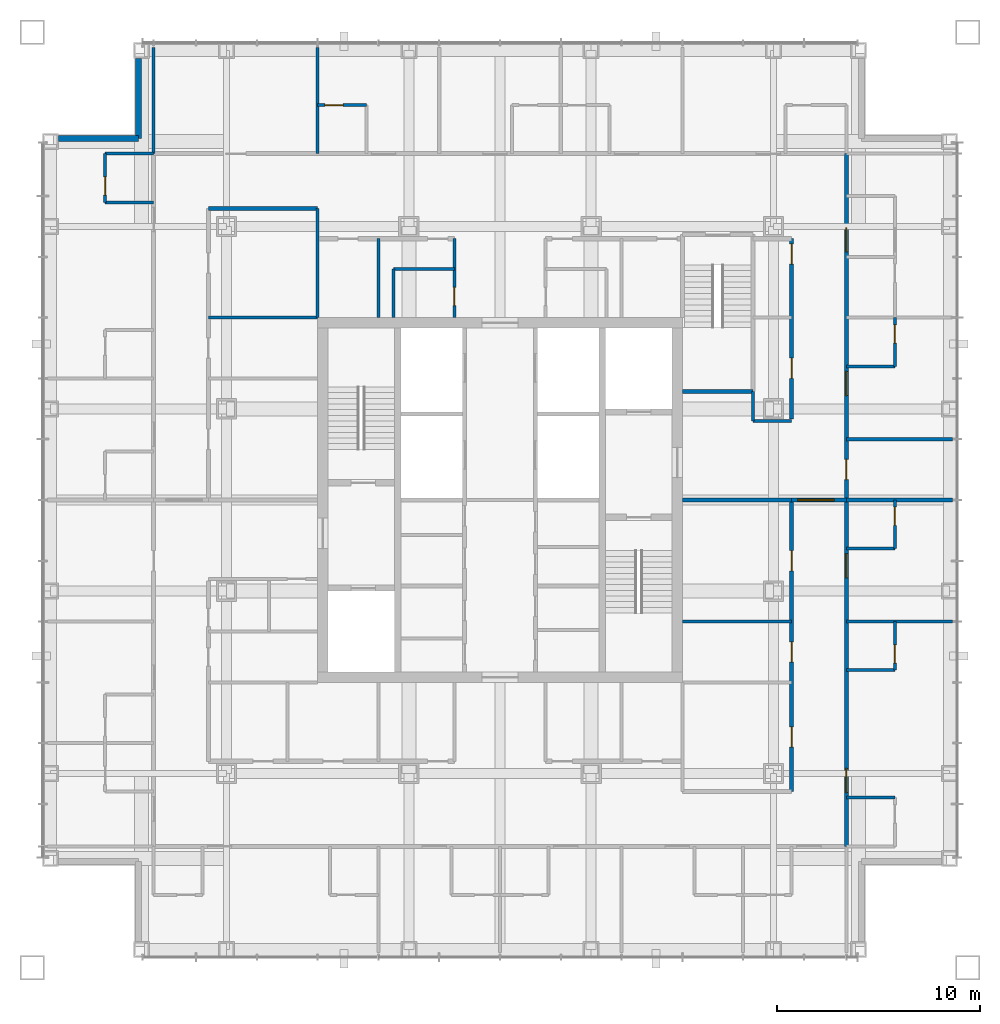
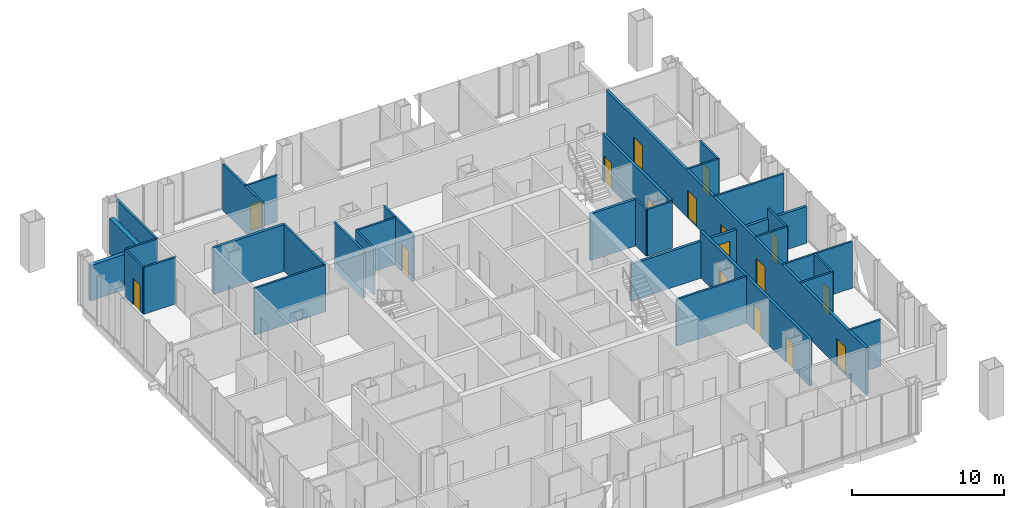
# One storey, part 15 of 20: 34 walls, 17 doors, 17 openings.
"""IFC4 building model written with IfcOpenShell, lengths in metres."""

from ifc_helpers import new_model, si_unit, direction, frame, frame_2d, origin, place, context, subcontext, project, spatial, rectangle, extrude, material, layer, layer_set, type_object, element, fill, save


model = new_model("IFC4")

# Units and contexts
model_context = context("Model", 3, precision=1e-05, world=origin(), true_north=direction((0.0, 1.0)))
body_context = subcontext(model_context, "Body", "Model", "MODEL_VIEW")
ifc_project = project(units=[si_unit("LENGTHUNIT", "METRE"), si_unit("AREAUNIT", "SQUARE_METRE"), si_unit("VOLUMEUNIT", "CUBIC_METRE"), si_unit("PLANEANGLEUNIT", "RADIAN"), si_unit("MASSUNIT", "GRAM", prefix="KILO")], contexts=[model_context])

# Site, building, storey
site_placement = place(None, origin())
site = spatial("IfcSite", under=ifc_project, at=site_placement, CompositionType="ELEMENT")
building_placement = place(site_placement, origin())
building = spatial("IfcBuilding", under=site, at=building_placement, Name="Malebo Sky Hospital", CompositionType="ELEMENT")
storey_placement = place(building_placement, frame((0.0, 0.0, 233.0)))
storey = spatial("IfcBuildingStorey", under=building, at=storey_placement, Name="L56", CompositionType="ELEMENT", Elevation=233.0)

# Wall
ifc_material_1 = material(Name="Gypsum board on steel studs", Category="steel")
ifc_layer_1 = layer(ifc_material_1, 0.199951171875)
ifc_layer_set_1 = layer_set([ifc_layer_1], Name="CORRIDOR WALL 200")
wall_type_1 = type_object("IfcWallType", Name="CORRIDOR WALL 200", PredefinedType="PARTITIONING", material=ifc_layer_set_1)
wall_1_placement = place(storey_placement, frame((45.60009765625, 76.39990234375, 0.0), z_axis=(0.0, 0.0, 1.0), x_axis=(1.0, 0.0, 0.0)))
element("IfcWall", 1, at=wall_1_placement, inside=storey, type_object=wall_type_1, Name="Corridor Wall 200 NCIK", PredefinedType="PARTITIONING", context=body_context, shape_type="SweptSolid", body=[
    extrude(rectangle(XDim=5.39990234375, YDim=0.199951171875, at=frame_2d((2.699951171875, 0.0))), origin(), (0.0, 0.0, 1.0), 3.75),
])

# Wall, openings, doors
wall_2_placement = place(storey_placement, frame((77.10009765625, 79.10009765625, 0.0), z_axis=(0.0, 0.0, 1.0), x_axis=(0.0, -1.0, 0.0)))
wall_2 = element("IfcWall", 2, at=wall_2_placement, inside=storey, type_object=wall_type_1, Name="Corridor Wall 200 ECO", PredefinedType="PARTITIONING", context=body_context, shape_type="SweptSolid", body=[
    extrude(rectangle(XDim=34.2001953125, YDim=0.199951171875, at=frame_2d((17.10009765625, 0.0))), origin(), (0.0, 0.0, 1.0), 3.75),
])
opening_1_placement = place(wall_2_placement, frame((3.64990234375, 0.0, 0.0)))
opening_1 = element("IfcOpeningElement", 3, at=opening_1_placement, cuts=wall_2, Name="Opening D18", PredefinedType="OPENING", context=body_context, shape_type="SweptSolid", body=[
    extrude(rectangle(XDim=1.199951171875, YDim=2.199951171875, at=frame_2d((0.60009765625, 1.10009765625))), frame((0.0, 0.10986328125, 0.0), z_axis=(0.0, -1.0, 0.0), x_axis=(1.0, 0.0, 0.0)), (0.0, 0.0, 1.0), 0.219970703125),
])
opening_2_placement = place(wall_2_placement, frame((10.75, 0.0, 0.0)))
opening_2 = element("IfcOpeningElement", 4, at=opening_2_placement, cuts=wall_2, Name="Opening D01", PredefinedType="OPENING", context=body_context, shape_type="SweptSolid", body=[
    extrude(rectangle(XDim=1.199951171875, YDim=2.199951171875, at=frame_2d((0.60009765625, 1.10009765625))), frame((0.0, 0.10986328125, 0.0), z_axis=(0.0, -1.0, 0.0), x_axis=(1.0, 0.0, 0.0)), (0.0, 0.0, 1.0), 0.219970703125),
])
opening_3_placement = place(wall_2_placement, frame((15.10009765625, 0.0, 0.0)))
opening_3 = element("IfcOpeningElement", 5, at=opening_3_placement, cuts=wall_2, Name="Opening D03", PredefinedType="OPENING", context=body_context, shape_type="SweptSolid", body=[
    extrude(rectangle(XDim=1.0, YDim=2.10009765625, at=frame_2d((0.5, 1.050048828125))), frame((0.0, 0.10986328125, 0.0), z_axis=(0.0, -1.0, 0.0), x_axis=(1.0, 0.0, 0.0)), (0.0, 0.0, 1.0), 0.219970703125),
])
opening_4_placement = place(wall_2_placement, frame((19.75, 0.0, 0.0)))
opening_4 = element("IfcOpeningElement", 6, at=opening_4_placement, cuts=wall_2, Name="Opening D01", PredefinedType="OPENING", context=body_context, shape_type="SweptSolid", body=[
    extrude(rectangle(XDim=1.199951171875, YDim=2.199951171875, at=frame_2d((0.60009765625, 1.10009765625))), frame((0.0, 0.10986328125, 0.0), z_axis=(0.0, -1.0, 0.0), x_axis=(1.0, 0.0, 0.0)), (0.0, 0.0, 1.0), 0.219970703125),
])
opening_5_placement = place(wall_2_placement, frame((30.35009765625, 0.0, 0.0)))
opening_5 = element("IfcOpeningElement", 7, at=opening_5_placement, cuts=wall_2, Name="Opening D01", PredefinedType="OPENING", context=body_context, shape_type="SweptSolid", body=[
    extrude(rectangle(XDim=1.199951171875, YDim=2.199951171875, at=frame_2d((0.60009765625, 1.10009765625))), frame((0.0, 0.10986328125, 0.0), z_axis=(0.0, -1.0, 0.0), x_axis=(1.0, 0.0, 0.0)), (0.0, 0.0, 1.0), 0.219970703125),
])
ifc_material_2 = material(Name="Hardwood-faced door leaf in steel frame", Category="steel")
door_type_1 = type_object("IfcDoorType", Name="ANTEROOM DOOR 1200", OperationType="SINGLE_SWING_LEFT", PredefinedType="DOOR", material=ifc_material_2)
door_1_placement = place(opening_1_placement, origin())
door_1 = element("IfcDoor", 8, at=door_1_placement, inside=storey, type_object=door_type_1, Name="Anteroom door", OperationType="SINGLE_SWING_RIGHT", OverallHeight=2.199951171875, OverallWidth=1.199951171875, PredefinedType="DOOR", context=body_context, shape_type="SweptSolid", body=[
    extrude(rectangle(XDim=1.199951171875, YDim=2.199951171875, at=frame_2d((0.60009765625, 1.10009765625))), frame((0.0, 0.02490234375, 0.0), z_axis=(0.0, -1.0, 0.0), x_axis=(1.0, 0.0, 0.0)), (0.0, 0.0, 1.0), 0.050048828125),
])
fill(opening_1, door_1)
door_type_2 = type_object("IfcDoorType", Name="BED DOOR 1200", OperationType="SINGLE_SWING_LEFT", PredefinedType="DOOR", material=ifc_material_2)
door_2_placement = place(opening_2_placement, origin())
door_2 = element("IfcDoor", 9, at=door_2_placement, inside=storey, type_object=door_type_2, Name="Single bed room door", OperationType="SINGLE_SWING_LEFT", OverallHeight=2.199951171875, OverallWidth=1.199951171875, PredefinedType="DOOR", context=body_context, shape_type="SweptSolid", body=[
    extrude(rectangle(XDim=1.199951171875, YDim=2.199951171875, at=frame_2d((0.60009765625, 1.10009765625))), frame((0.0, 0.02490234375, 0.0), z_axis=(0.0, -1.0, 0.0), x_axis=(1.0, 0.0, 0.0)), (0.0, 0.0, 1.0), 0.050048828125),
])
fill(opening_2, door_2)
door_3_placement = place(opening_4_placement, origin())
door_3 = element("IfcDoor", 10, at=door_3_placement, inside=storey, type_object=door_type_2, Name="Parent room door", OperationType="SINGLE_SWING_LEFT", OverallHeight=2.199951171875, OverallWidth=1.199951171875, PredefinedType="DOOR", context=body_context, shape_type="SweptSolid", body=[
    extrude(rectangle(XDim=1.199951171875, YDim=2.199951171875, at=frame_2d((0.60009765625, 1.10009765625))), frame((0.0, 0.02490234375, 0.0), z_axis=(0.0, -1.0, 0.0), x_axis=(1.0, 0.0, 0.0)), (0.0, 0.0, 1.0), 0.050048828125),
])
fill(opening_4, door_3)
door_4_placement = place(opening_5_placement, origin())
door_4 = element("IfcDoor", 11, at=door_4_placement, inside=storey, type_object=door_type_2, Name="Four-bed bay door", OperationType="SINGLE_SWING_RIGHT", OverallHeight=2.199951171875, OverallWidth=1.199951171875, PredefinedType="DOOR", context=body_context, shape_type="SweptSolid", body=[
    extrude(rectangle(XDim=1.199951171875, YDim=2.199951171875, at=frame_2d((0.60009765625, 1.10009765625))), frame((0.0, 0.02490234375, 0.0), z_axis=(0.0, -1.0, 0.0), x_axis=(1.0, 0.0, 0.0)), (0.0, 0.0, 1.0), 0.050048828125),
])
fill(opening_5, door_4)
door_type_3 = type_object("IfcDoorType", Name="ROOM DOOR 1000", OperationType="SINGLE_SWING_LEFT", PredefinedType="DOOR", material=ifc_material_2)
door_5_placement = place(opening_3_placement, origin())
door_5 = element("IfcDoor", 12, at=door_5_placement, inside=storey, type_object=door_type_3, Name="Quiet room door", OperationType="SINGLE_SWING_RIGHT", OverallHeight=2.10009765625, OverallWidth=1.0, PredefinedType="DOOR", context=body_context, shape_type="SweptSolid", body=[
    extrude(rectangle(XDim=1.0, YDim=2.10009765625, at=frame_2d((0.5, 1.050048828125))), frame((0.0, 0.02490234375, 0.0), z_axis=(0.0, -1.0, 0.0), x_axis=(1.0, 0.0, 0.0)), (0.0, 0.0, 1.0), 0.050048828125),
])
fill(opening_3, door_5)

wall_3_placement = place(storey_placement, frame((74.39990234375, 74.89990234375, 0.0), z_axis=(0.0, 0.0, 1.0), x_axis=(0.0, -1.0, 0.0)))
wall_3 = element("IfcWall", 13, at=wall_3_placement, inside=storey, type_object=wall_type_1, Name="Corridor Wall 200 ECI1", PredefinedType="PARTITIONING", context=body_context, shape_type="SweptSolid", body=[
    extrude(rectangle(XDim=8.89990234375, YDim=0.199951171875, at=frame_2d((4.449951171875, 0.0))), origin(), (0.0, 0.0, 1.0), 3.75),
])
opening_6_placement = place(wall_3_placement, frame((0.25, 0.0, 0.0)))
opening_6 = element("IfcOpeningElement", 14, at=opening_6_placement, cuts=wall_3, Name="Opening D03", PredefinedType="OPENING", context=body_context, shape_type="SweptSolid", body=[
    extrude(rectangle(XDim=1.0, YDim=2.10009765625, at=frame_2d((0.5, 1.050048828125))), frame((0.0, 0.10986328125, 0.0), z_axis=(0.0, -1.0, 0.0), x_axis=(1.0, 0.0, 0.0)), (0.0, 0.0, 1.0), 0.219970703125),
])
opening_7_placement = place(wall_3_placement, frame((5.89990234375, 0.0, 0.0)))
opening_7 = element("IfcOpeningElement", 15, at=opening_7_placement, cuts=wall_3, Name="Opening D03", PredefinedType="OPENING", context=body_context, shape_type="SweptSolid", body=[
    extrude(rectangle(XDim=1.0, YDim=2.10009765625, at=frame_2d((0.5, 1.050048828125))), frame((0.0, 0.10986328125, 0.0), z_axis=(0.0, -1.0, 0.0), x_axis=(1.0, 0.0, 0.0)), (0.0, 0.0, 1.0), 0.219970703125),
])
door_6_placement = place(opening_6_placement, origin())
door_6 = element("IfcDoor", 16, at=door_6_placement, inside=storey, type_object=door_type_3, Name="Ward pantry door", OperationType="SINGLE_SWING_LEFT", OverallHeight=2.10009765625, OverallWidth=1.0, PredefinedType="DOOR", context=body_context, shape_type="SweptSolid", body=[
    extrude(rectangle(XDim=1.0, YDim=2.10009765625, at=frame_2d((0.5, 1.050048828125))), frame((0.0, 0.02490234375, 0.0), z_axis=(0.0, -1.0, 0.0), x_axis=(1.0, 0.0, 0.0)), (0.0, 0.0, 1.0), 0.050048828125),
])
fill(opening_6, door_6)
door_7_placement = place(opening_7_placement, origin())
door_7 = element("IfcDoor", 17, at=door_7_placement, inside=storey, type_object=door_type_3, Name="Consulting room door", OperationType="SINGLE_SWING_LEFT", OverallHeight=2.10009765625, OverallWidth=1.0, PredefinedType="DOOR", context=body_context, shape_type="SweptSolid", body=[
    extrude(rectangle(XDim=1.0, YDim=2.10009765625, at=frame_2d((0.5, 1.050048828125))), frame((0.0, 0.02490234375, 0.0), z_axis=(0.0, -1.0, 0.0), x_axis=(1.0, 0.0, 0.0)), (0.0, 0.0, 1.0), 0.050048828125),
])
fill(opening_7, door_7)

wall_4_placement = place(storey_placement, frame((74.39990234375, 62.0, 0.0), z_axis=(0.0, 0.0, 1.0), x_axis=(0.0, -1.0, 0.0)))
wall_4 = element("IfcWall", 18, at=wall_4_placement, inside=storey, type_object=wall_type_1, Name="Corridor Wall 200 ECI2", PredefinedType="PARTITIONING", context=body_context, shape_type="SweptSolid", body=[
    extrude(rectangle(XDim=14.39990234375, YDim=0.199951171875, at=frame_2d((7.199951171875, 0.0))), origin(), (0.0, 0.0, 1.0), 3.75),
])
opening_8_placement = place(wall_4_placement, frame((2.5, 0.0, 0.0)))
opening_8 = element("IfcOpeningElement", 19, at=opening_8_placement, cuts=wall_4, Name="Opening D03", PredefinedType="OPENING", context=body_context, shape_type="SweptSolid", body=[
    extrude(rectangle(XDim=1.0, YDim=2.10009765625, at=frame_2d((0.5, 1.050048828125))), frame((0.0, 0.10986328125, 0.0), z_axis=(0.0, -1.0, 0.0), x_axis=(1.0, 0.0, 0.0)), (0.0, 0.0, 1.0), 0.219970703125),
])
opening_9_placement = place(wall_4_placement, frame((7.0, 0.0, 0.0)))
opening_9 = element("IfcOpeningElement", 20, at=opening_9_placement, cuts=wall_4, Name="Opening D03", PredefinedType="OPENING", context=body_context, shape_type="SweptSolid", body=[
    extrude(rectangle(XDim=1.0, YDim=2.10009765625, at=frame_2d((0.5, 1.050048828125))), frame((0.0, 0.10986328125, 0.0), z_axis=(0.0, -1.0, 0.0), x_axis=(1.0, 0.0, 0.0)), (0.0, 0.0, 1.0), 0.219970703125),
])
opening_10_placement = place(wall_4_placement, frame((11.199951171875, 0.0, 0.0)))
opening_10 = element("IfcOpeningElement", 21, at=opening_10_placement, cuts=wall_4, Name="Opening D03", PredefinedType="OPENING", context=body_context, shape_type="SweptSolid", body=[
    extrude(rectangle(XDim=1.0, YDim=2.10009765625, at=frame_2d((0.5, 1.050048828125))), frame((0.0, 0.10986328125, 0.0), z_axis=(0.0, -1.0, 0.0), x_axis=(1.0, 0.0, 0.0)), (0.0, 0.0, 1.0), 0.219970703125),
])
door_8_placement = place(opening_8_placement, origin())
door_8 = element("IfcDoor", 22, at=door_8_placement, inside=storey, type_object=door_type_3, Name="Staff rest room door", OperationType="SINGLE_SWING_LEFT", OverallHeight=2.10009765625, OverallWidth=1.0, PredefinedType="DOOR", context=body_context, shape_type="SweptSolid", body=[
    extrude(rectangle(XDim=1.0, YDim=2.10009765625, at=frame_2d((0.5, 1.050048828125))), frame((0.0, 0.02490234375, 0.0), z_axis=(0.0, -1.0, 0.0), x_axis=(1.0, 0.0, 0.0)), (0.0, 0.0, 1.0), 0.050048828125),
])
fill(opening_8, door_8)
door_9_placement = place(opening_9_placement, origin())
door_9 = element("IfcDoor", 23, at=door_9_placement, inside=storey, type_object=door_type_3, Name="Dirty utility room door", OperationType="SINGLE_SWING_LEFT", OverallHeight=2.10009765625, OverallWidth=1.0, PredefinedType="DOOR", context=body_context, shape_type="SweptSolid", body=[
    extrude(rectangle(XDim=1.0, YDim=2.10009765625, at=frame_2d((0.5, 1.050048828125))), frame((0.0, 0.02490234375, 0.0), z_axis=(0.0, -1.0, 0.0), x_axis=(1.0, 0.0, 0.0)), (0.0, 0.0, 1.0), 0.050048828125),
])
fill(opening_9, door_9)
door_10_placement = place(opening_10_placement, origin())
door_10 = element("IfcDoor", 24, at=door_10_placement, inside=storey, type_object=door_type_3, Name="Surgical examination room door", OperationType="SINGLE_SWING_RIGHT", OverallHeight=2.10009765625, OverallWidth=1.0, PredefinedType="DOOR", context=body_context, shape_type="SweptSolid", body=[
    extrude(rectangle(XDim=1.0, YDim=2.10009765625, at=frame_2d((0.5, 1.050048828125))), frame((0.0, 0.02490234375, 0.0), z_axis=(0.0, -1.0, 0.0), x_axis=(1.0, 0.0, 0.0)), (0.0, 0.0, 1.0), 0.050048828125),
])
fill(opening_10, door_10)

# Walls
ifc_material_3 = material(Name="Anodised aluminium rainscreen on steel framing", Category="steel")
ifc_layer_2 = layer(ifc_material_3, 0.300048828125)
ifc_layer_set_2 = layer_set([ifc_layer_2], Name="NOTCH RAINSCREEN WALL 300")
wall_type_2 = type_object("IfcWallType", Name="NOTCH RAINSCREEN WALL 300", PredefinedType="ELEMENTEDWALL", material=ifc_layer_set_2)
for number, where, z_axis, x_axis, name in (
    (25, (38.199951171875, 79.85009765625, 0.0), (0.0, 0.0, 1.0), (1.0, 0.0, 0.0), "Notch rainscreen wall W1 L56"),
    (26, (42.14990234375, 79.85009765625, 0.0), (0.0, 0.0, 1.0), (0.0, 1.0, 0.0), "Notch rainscreen wall W2 L56"),
):
    element("IfcWall", number, at=place(storey_placement, frame(where, z_axis=z_axis, x_axis=x_axis)), inside=storey, type_object=wall_type_2, Name=name, PredefinedType="ELEMENTEDWALL", context=body_context, shape_type="SweptSolid", body=[
        extrude(rectangle(XDim=3.949951171875, YDim=0.300048828125, at=frame_2d((1.97509765625, 0.0))), origin(), (0.0, 0.0, 1.0), 2.85009765625),
    ])
ifc_layer_3 = layer(ifc_material_1, 0.14990234375)
ifc_layer_set_3 = layer_set([ifc_layer_3], Name="PARTITION 150")
wall_type_3 = type_object("IfcWallType", Name="PARTITION 150", PredefinedType="PARTITIONING", material=ifc_layer_set_3)
for number, where, z_axis, x_axis, name in (
    (27, (51.0, 79.10009765625, 0.0), (0.0, 0.0, 1.0), (0.0, 1.0, 0.0), "Partition 150 NP-9.0"),
    (28, (42.89990234375, 79.10009765625, 0.0), (0.0, 0.0, 1.0), (0.0, 1.0, 0.0), "Partition 150 NP0"),
):
    element("IfcWall", number, at=place(storey_placement, frame(where, z_axis=z_axis, x_axis=x_axis)), inside=storey, type_object=wall_type_3, Name=name, PredefinedType="PARTITIONING", context=body_context, shape_type="SweptSolid", body=[
        extrude(rectangle(XDim=5.25, YDim=0.14990234375, at=frame_2d((2.625, 0.0))), origin(), (0.0, 0.0, 1.0), 3.75),
    ])

# Wall, opening, door
wall_5_placement = place(storey_placement, frame((51.0, 81.5, 0.0), z_axis=(0.0, 0.0, 1.0), x_axis=(1.0, 0.0, 0.0)))
wall_5 = element("IfcWall", 29, at=wall_5_placement, inside=storey, type_object=wall_type_3, Name="Partition 150 NE1F", PredefinedType="PARTITIONING", context=body_context, shape_type="SweptSolid", body=[
    extrude(rectangle(XDim=2.39990234375, YDim=0.14990234375, at=frame_2d((1.199951171875, 0.0))), origin(), (0.0, 0.0, 1.0), 3.75),
])
opening_11_placement = place(wall_5_placement, frame((0.35009765625, 0.0, 0.0)))
opening_11 = element("IfcOpeningElement", 30, at=opening_11_placement, cuts=wall_5, Name="Opening D02", PredefinedType="OPENING", context=body_context, shape_type="SweptSolid", body=[
    extrude(rectangle(XDim=0.89990234375, YDim=2.10009765625, at=frame_2d((0.449951171875, 1.050048828125))), frame((0.0, 0.0849609375, 0.0), z_axis=(0.0, -1.0, 0.0), x_axis=(1.0, 0.0, 0.0)), (0.0, 0.0, 1.0), 0.169921875),
])
door_type_4 = type_object("IfcDoorType", Name="EN-SUITE DOOR 900", OperationType="SINGLE_SWING_LEFT", PredefinedType="DOOR", material=ifc_material_2)
door_11_placement = place(opening_11_placement, origin())
door_11 = element("IfcDoor", 31, at=door_11_placement, inside=storey, type_object=door_type_4, Name="En-suite door", OperationType="SINGLE_SWING_LEFT", OverallHeight=2.10009765625, OverallWidth=0.89990234375, PredefinedType="DOOR", context=body_context, shape_type="SweptSolid", body=[
    extrude(rectangle(XDim=0.89990234375, YDim=2.10009765625, at=frame_2d((0.449951171875, 1.050048828125))), frame((0.0, 0.02490234375, 0.0), z_axis=(0.0, -1.0, 0.0), x_axis=(1.0, 0.0, 0.0)), (0.0, 0.0, 1.0), 0.050048828125),
])
fill(opening_11, door_11)

# Wall
wall_6_placement = place(storey_placement, frame((51.0, 71.0, 0.0), z_axis=(0.0, 0.0, 1.0), x_axis=(0.0, 1.0, 0.0)))
element("IfcWall", 32, at=wall_6_placement, inside=storey, type_object=wall_type_3, Name="Partition 150 NSP0", PredefinedType="PARTITIONING", context=body_context, shape_type="SweptSolid", body=[
    extrude(rectangle(XDim=5.39990234375, YDim=0.14990234375, at=frame_2d((2.699951171875, 0.0))), origin(), (0.0, 0.0, 1.0), 3.75),
])

# Wall, opening, door
wall_7_placement = place(storey_placement, frame((57.75, 71.0, 0.0), z_axis=(0.0, 0.0, 1.0), x_axis=(0.0, 1.0, 0.0)))
wall_7 = element("IfcWall", 33, at=wall_7_placement, inside=storey, type_object=wall_type_3, Name="Partition 150 NSPA", PredefinedType="PARTITIONING", context=body_context, shape_type="SweptSolid", body=[
    extrude(rectangle(XDim=3.89990234375, YDim=0.14990234375, at=frame_2d((1.949951171875, 0.0))), origin(), (0.0, 0.0, 1.0), 3.75),
])
opening_12_placement = place(wall_7_placement, frame((0.60009765625, 0.0, 0.0)))
opening_12 = element("IfcOpeningElement", 34, at=opening_12_placement, cuts=wall_7, Name="Opening D04", PredefinedType="OPENING", context=body_context, shape_type="SweptSolid", body=[
    extrude(rectangle(XDim=0.89990234375, YDim=2.10009765625, at=frame_2d((0.449951171875, 1.050048828125))), frame((0.0, 0.0849609375, 0.0), z_axis=(0.0, -1.0, 0.0), x_axis=(1.0, 0.0, 0.0)), (0.0, 0.0, 1.0), 0.169921875),
])
door_type_5 = type_object("IfcDoorType", Name="ROOM DOOR 900", OperationType="SINGLE_SWING_LEFT", PredefinedType="DOOR", material=ifc_material_2)
door_12_placement = place(opening_12_placement, origin())
door_12 = element("IfcDoor", 35, at=door_12_placement, inside=storey, type_object=door_type_5, Name="Staff WC door", OperationType="SINGLE_SWING_LEFT", OverallHeight=2.10009765625, OverallWidth=0.89990234375, PredefinedType="DOOR", context=body_context, shape_type="SweptSolid", body=[
    extrude(rectangle(XDim=0.89990234375, YDim=2.10009765625, at=frame_2d((0.449951171875, 1.050048828125))), frame((0.0, 0.02490234375, 0.0), z_axis=(0.0, -1.0, 0.0), x_axis=(1.0, 0.0, 0.0)), (0.0, 0.0, 1.0), 0.050048828125),
])
fill(opening_12, door_12)

# Walls
wall_8_placement = place(storey_placement, frame((54.0, 71.0, 0.0), z_axis=(0.0, 0.0, 1.0), x_axis=(0.0, 1.0, 0.0)))
element("IfcWall", 36, at=wall_8_placement, inside=storey, type_object=wall_type_3, Name="Partition 150 NSP-6.0", PredefinedType="PARTITIONING", context=body_context, shape_type="SweptSolid", body=[
    extrude(rectangle(XDim=3.89990234375, YDim=0.14990234375, at=frame_2d((1.949951171875, 0.0))), origin(), (0.0, 0.0, 1.0), 3.75),
])
wall_9_placement = place(storey_placement, frame((54.75, 73.39990234375, 0.0), z_axis=(0.0, 0.0, 1.0), x_axis=(1.0, 0.0, 0.0)))
element("IfcWall", 37, at=wall_9_placement, inside=storey, type_object=wall_type_3, Name="Partition 150 NSX1", PredefinedType="PARTITIONING", context=body_context, shape_type="SweptSolid", body=[
    extrude(rectangle(XDim=3.0, YDim=0.14990234375, at=frame_2d((1.5, 0.0))), origin(), (0.0, 0.0, 1.0), 3.75),
])
wall_10_placement = place(storey_placement, frame((54.75, 71.0, 0.0), z_axis=(0.0, 0.0, 1.0), x_axis=(0.0, 1.0, 0.0)))
element("IfcWall", 38, at=wall_10_placement, inside=storey, type_object=wall_type_3, Name="Partition 150 NSY1", PredefinedType="PARTITIONING", context=body_context, shape_type="SweptSolid", body=[
    extrude(rectangle(XDim=2.39990234375, YDim=0.14990234375, at=frame_2d((1.199951171875, 0.0))), origin(), (0.0, 0.0, 1.0), 3.75),
])

# Wall, opening, door
wall_11_placement = place(storey_placement, frame((40.5, 76.699951171875, 0.0), z_axis=(0.0, 0.0, 1.0), x_axis=(0.0, 1.0, 0.0)))
wall_11 = element("IfcWall", 39, at=wall_11_placement, inside=storey, type_object=wall_type_3, Name="Partition 150 WE4F", PredefinedType="PARTITIONING", context=body_context, shape_type="SweptSolid", body=[
    extrude(rectangle(XDim=2.400146484375, YDim=0.14990234375, at=frame_2d((1.2001953125, 0.0))), origin(), (0.0, 0.0, 1.0), 3.75),
])
opening_13_placement = place(wall_11_placement, frame((0.35009765625, 0.0, 0.0)))
opening_13 = element("IfcOpeningElement", 40, at=opening_13_placement, cuts=wall_11, Name="Opening D02", PredefinedType="OPENING", context=body_context, shape_type="SweptSolid", body=[
    extrude(rectangle(XDim=0.89990234375, YDim=2.10009765625, at=frame_2d((0.449951171875, 1.050048828125))), frame((0.0, 0.0849609375, 0.0), z_axis=(0.0, -1.0, 0.0), x_axis=(1.0, 0.0, 0.0)), (0.0, 0.0, 1.0), 0.169921875),
])
door_13_placement = place(opening_13_placement, origin())
door_13 = element("IfcDoor", 41, at=door_13_placement, inside=storey, type_object=door_type_4, Name="En-suite door", OperationType="SINGLE_SWING_LEFT", OverallHeight=2.10009765625, OverallWidth=0.89990234375, PredefinedType="DOOR", context=body_context, shape_type="SweptSolid", body=[
    extrude(rectangle(XDim=0.89990234375, YDim=2.10009765625, at=frame_2d((0.449951171875, 1.050048828125))), frame((0.0, 0.02490234375, 0.0), z_axis=(0.0, -1.0, 0.0), x_axis=(1.0, 0.0, 0.0)), (0.0, 0.0, 1.0), 0.050048828125),
])
fill(opening_13, door_13)

# Walls
for number, where, z_axis, x_axis, name in (
    (42, (42.89990234375, 76.699951171875, 0.0), (0.0, 0.0, 1.0), (-1.0, 0.0, 0.0), "Partition 150 WE4S"),
    (43, (42.89990234375, 79.10009765625, 0.0), (0.0, 0.0, 1.0), (-1.0, 0.0, 0.0), "Partition 150 WEZ"),
):
    element("IfcWall", number, at=place(storey_placement, frame(where, z_axis=z_axis, x_axis=x_axis)), inside=storey, type_object=wall_type_3, Name=name, PredefinedType="PARTITIONING", context=body_context, shape_type="SweptSolid", body=[
        extrude(rectangle(XDim=2.39990234375, YDim=0.14990234375, at=frame_2d((1.199951171875, 0.0))), origin(), (0.0, 0.0, 1.0), 3.75),
    ])
wall_12_placement = place(storey_placement, frame((51.0, 71.0, 0.0), z_axis=(0.0, 0.0, 1.0), x_axis=(-1.0, 0.0, 0.0)))
element("IfcWall", 44, at=wall_12_placement, inside=storey, type_object=wall_type_3, Name="Partition 150 WSP+9.0", PredefinedType="PARTITIONING", context=body_context, shape_type="SweptSolid", body=[
    extrude(rectangle(XDim=5.39990234375, YDim=0.14990234375, at=frame_2d((2.699951171875, 0.0))), origin(), (0.0, 0.0, 1.0), 3.75),
])
for number, where, z_axis, x_axis, name in (
    (45, (77.10009765625, 65.0, 0.0), (0.0, 0.0, 1.0), (1.0, 0.0, 0.0), "Partition 150 EP-3.0"),
    (46, (77.10009765625, 56.0, 0.0), (0.0, 0.0, 1.0), (1.0, 0.0, 0.0), "Partition 150 EP+6.0"),
):
    element("IfcWall", number, at=place(storey_placement, frame(where, z_axis=z_axis, x_axis=x_axis)), inside=storey, type_object=wall_type_3, Name=name, PredefinedType="PARTITIONING", context=body_context, shape_type="SweptSolid", body=[
        extrude(rectangle(XDim=5.25, YDim=0.14990234375, at=frame_2d((2.625, 0.0))), origin(), (0.0, 0.0, 1.0), 3.75),
    ])

# Wall, opening, door
wall_13_placement = place(storey_placement, frame((79.5, 71.0, 0.0), z_axis=(0.0, 0.0, 1.0), x_axis=(0.0, -1.0, 0.0)))
wall_13 = element("IfcWall", 47, at=wall_13_placement, inside=storey, type_object=wall_type_3, Name="Partition 150 EE1F", PredefinedType="PARTITIONING", context=body_context, shape_type="SweptSolid", body=[
    extrude(rectangle(XDim=2.39990234375, YDim=0.14990234375, at=frame_2d((1.199951171875, 0.0))), origin(), (0.0, 0.0, 1.0), 3.75),
])
opening_14_placement = place(wall_13_placement, frame((0.35009765625, 0.0, 0.0)))
opening_14 = element("IfcOpeningElement", 48, at=opening_14_placement, cuts=wall_13, Name="Opening D02", PredefinedType="OPENING", context=body_context, shape_type="SweptSolid", body=[
    extrude(rectangle(XDim=0.89990234375, YDim=2.10009765625, at=frame_2d((0.449951171875, 1.050048828125))), frame((0.0, 0.0849609375, 0.0), z_axis=(0.0, -1.0, 0.0), x_axis=(1.0, 0.0, 0.0)), (0.0, 0.0, 1.0), 0.169921875),
])
door_14_placement = place(opening_14_placement, origin())
door_14 = element("IfcDoor", 49, at=door_14_placement, inside=storey, type_object=door_type_4, Name="En-suite door", OperationType="SINGLE_SWING_LEFT", OverallHeight=2.10009765625, OverallWidth=0.89990234375, PredefinedType="DOOR", context=body_context, shape_type="SweptSolid", body=[
    extrude(rectangle(XDim=0.89990234375, YDim=2.10009765625, at=frame_2d((0.449951171875, 1.050048828125))), frame((0.0, 0.02490234375, 0.0), z_axis=(0.0, -1.0, 0.0), x_axis=(1.0, 0.0, 0.0)), (0.0, 0.0, 1.0), 0.050048828125),
])
fill(opening_14, door_14)

# Wall
wall_14_placement = place(storey_placement, frame((77.10009765625, 68.60009765625, 0.0), z_axis=(0.0, 0.0, 1.0), x_axis=(1.0, 0.0, 0.0)))
element("IfcWall", 50, at=wall_14_placement, inside=storey, type_object=wall_type_3, Name="Partition 150 EE1S", PredefinedType="PARTITIONING", context=body_context, shape_type="SweptSolid", body=[
    extrude(rectangle(XDim=2.39990234375, YDim=0.14990234375, at=frame_2d((1.199951171875, 0.0))), origin(), (0.0, 0.0, 1.0), 3.75),
])

# Wall, opening, door
wall_15_placement = place(storey_placement, frame((79.5, 62.0, 0.0), z_axis=(0.0, 0.0, 1.0), x_axis=(0.0, -1.0, 0.0)))
wall_15 = element("IfcWall", 51, at=wall_15_placement, inside=storey, type_object=wall_type_3, Name="Partition 150 EE3F", PredefinedType="PARTITIONING", context=body_context, shape_type="SweptSolid", body=[
    extrude(rectangle(XDim=2.39990234375, YDim=0.14990234375, at=frame_2d((1.199951171875, 0.0))), origin(), (0.0, 0.0, 1.0), 3.75),
])
opening_15_placement = place(wall_15_placement, frame((0.35009765625, 0.0, 0.0)))
opening_15 = element("IfcOpeningElement", 52, at=opening_15_placement, cuts=wall_15, Name="Opening D02", PredefinedType="OPENING", context=body_context, shape_type="SweptSolid", body=[
    extrude(rectangle(XDim=0.89990234375, YDim=2.10009765625, at=frame_2d((0.449951171875, 1.050048828125))), frame((0.0, 0.0849609375, 0.0), z_axis=(0.0, -1.0, 0.0), x_axis=(1.0, 0.0, 0.0)), (0.0, 0.0, 1.0), 0.169921875),
])
door_15_placement = place(opening_15_placement, origin())
door_15 = element("IfcDoor", 53, at=door_15_placement, inside=storey, type_object=door_type_4, Name="En-suite door", OperationType="SINGLE_SWING_LEFT", OverallHeight=2.10009765625, OverallWidth=0.89990234375, PredefinedType="DOOR", context=body_context, shape_type="SweptSolid", body=[
    extrude(rectangle(XDim=0.89990234375, YDim=2.10009765625, at=frame_2d((0.449951171875, 1.050048828125))), frame((0.0, 0.02490234375, 0.0), z_axis=(0.0, -1.0, 0.0), x_axis=(1.0, 0.0, 0.0)), (0.0, 0.0, 1.0), 0.050048828125),
])
fill(opening_15, door_15)

# Walls
for number, where, z_axis, x_axis, name in (
    (54, (77.10009765625, 59.60009765625, 0.0), (0.0, 0.0, 1.0), (1.0, 0.0, 0.0), "Partition 150 EE3S"),
    (55, (77.10009765625, 47.300048828125, 0.0), (0.0, 0.0, 1.0), (1.0, 0.0, 0.0), "Partition 150 EE4S"),
):
    element("IfcWall", number, at=place(storey_placement, frame(where, z_axis=z_axis, x_axis=x_axis)), inside=storey, type_object=wall_type_3, Name=name, PredefinedType="PARTITIONING", context=body_context, shape_type="SweptSolid", body=[
        extrude(rectangle(XDim=2.39990234375, YDim=0.14990234375, at=frame_2d((1.199951171875, 0.0))), origin(), (0.0, 0.0, 1.0), 3.75),
    ])

# Wall, opening, door
wall_16_placement = place(storey_placement, frame((79.5, 56.0, 0.0), z_axis=(0.0, 0.0, 1.0), x_axis=(0.0, -1.0, 0.0)))
wall_16 = element("IfcWall", 56, at=wall_16_placement, inside=storey, type_object=wall_type_3, Name="Partition 150 EG4F", PredefinedType="PARTITIONING", context=body_context, shape_type="SweptSolid", body=[
    extrude(rectangle(XDim=2.39990234375, YDim=0.14990234375, at=frame_2d((1.199951171875, 0.0))), origin(), (0.0, 0.0, 1.0), 3.75),
])
opening_16_placement = place(wall_16_placement, frame((1.14990234375, 0.0, 0.0)))
opening_16 = element("IfcOpeningElement", 57, at=opening_16_placement, cuts=wall_16, Name="Opening D02", PredefinedType="OPENING", context=body_context, shape_type="SweptSolid", body=[
    extrude(rectangle(XDim=0.89990234375, YDim=2.10009765625, at=frame_2d((0.449951171875, 1.050048828125))), frame((0.0, 0.0849609375, 0.0), z_axis=(0.0, -1.0, 0.0), x_axis=(1.0, 0.0, 0.0)), (0.0, 0.0, 1.0), 0.169921875),
])
door_16_placement = place(opening_16_placement, origin())
door_16 = element("IfcDoor", 58, at=door_16_placement, inside=storey, type_object=door_type_4, Name="En-suite door", OperationType="SINGLE_SWING_RIGHT", OverallHeight=2.10009765625, OverallWidth=0.89990234375, PredefinedType="DOOR", context=body_context, shape_type="SweptSolid", body=[
    extrude(rectangle(XDim=0.89990234375, YDim=2.10009765625, at=frame_2d((0.449951171875, 1.050048828125))), frame((0.0, 0.02490234375, 0.0), z_axis=(0.0, -1.0, 0.0), x_axis=(1.0, 0.0, 0.0)), (0.0, 0.0, 1.0), 0.050048828125),
])
fill(opening_16, door_16)

# Walls
wall_17_placement = place(storey_placement, frame((77.10009765625, 53.60009765625, 0.0), z_axis=(0.0, 0.0, 1.0), x_axis=(1.0, 0.0, 0.0)))
element("IfcWall", 59, at=wall_17_placement, inside=storey, type_object=wall_type_3, Name="Partition 150 EG4S", PredefinedType="PARTITIONING", context=body_context, shape_type="SweptSolid", body=[
    extrude(rectangle(XDim=2.39990234375, YDim=0.14990234375, at=frame_2d((1.199951171875, 0.0))), origin(), (0.0, 0.0, 1.0), 3.75),
])
wall_18_placement = place(storey_placement, frame((72.5, 65.89990234375, 0.0), z_axis=(0.0, 0.0, 1.0), x_axis=(1.0, 0.0, 0.0)))
element("IfcWall", 60, at=wall_18_placement, inside=storey, type_object=wall_type_3, Name="Partition 150 ESPA", PredefinedType="PARTITIONING", context=body_context, shape_type="SweptSolid", body=[
    extrude(rectangle(XDim=1.89990234375, YDim=0.14990234375, at=frame_2d((0.949951171875, 0.0))), origin(), (0.0, 0.0, 1.0), 3.75),
])
wall_19_placement = place(storey_placement, frame((69.0, 56.0, 0.0), z_axis=(0.0, 0.0, 1.0), x_axis=(1.0, 0.0, 0.0)))
element("IfcWall", 61, at=wall_19_placement, inside=storey, type_object=wall_type_3, Name="Partition 150 ESP+6.0", PredefinedType="PARTITIONING", context=body_context, shape_type="SweptSolid", body=[
    extrude(rectangle(XDim=5.39990234375, YDim=0.14990234375, at=frame_2d((2.699951171875, 0.0))), origin(), (0.0, 0.0, 1.0), 3.75),
])
wall_20_placement = place(storey_placement, frame((72.5, 65.89990234375, 0.0), z_axis=(0.0, 0.0, 1.0), x_axis=(0.0, 1.0, 0.0)))
element("IfcWall", 62, at=wall_20_placement, inside=storey, type_object=wall_type_3, Name="Partition 150 ST3C", PredefinedType="PARTITIONING", context=body_context, shape_type="SweptSolid", body=[
    extrude(rectangle(XDim=1.4501953125, YDim=0.14990234375, at=frame_2d((0.72509765625, 0.0))), origin(), (0.0, 0.0, 1.0), 3.75),
])
ifc_material_4 = material(Name="Concrete blockwork", Category="masonry")
ifc_layer_4 = layer(ifc_material_4, 0.199951171875)
ifc_layer_set_4 = layer_set([ifc_layer_4], Name="SMOKE BARRIER WALL 200")
wall_type_4 = type_object("IfcWallType", Name="SMOKE BARRIER WALL 200", PredefinedType="SOLIDWALL", material=ifc_layer_set_4)
wall_21_placement = place(storey_placement, frame((77.10009765625, 62.0, 0.0), z_axis=(0.0, 0.0, 1.0), x_axis=(1.0, 0.0, 0.0)))
element("IfcWall", 63, at=wall_21_placement, inside=storey, type_object=wall_type_4, Name="Smoke Barrier Wall 200 EP+0.0", PredefinedType="SOLIDWALL", context=body_context, shape_type="SweptSolid", body=[
    extrude(rectangle(XDim=5.25, YDim=0.199951171875, at=frame_2d((2.625, 0.0))), origin(), (0.0, 0.0, 1.0), 2.949951171875),
])
wall_22_placement = place(storey_placement, frame((69.0, 62.0, 0.0), z_axis=(0.0, 0.0, 1.0), x_axis=(1.0, 0.0, 0.0)))
element("IfcWall", 64, at=wall_22_placement, inside=storey, type_object=wall_type_4, Name="Smoke Barrier Wall 200 ESPB", PredefinedType="SOLIDWALL", context=body_context, shape_type="SweptSolid", body=[
    extrude(rectangle(XDim=5.39990234375, YDim=0.199951171875, at=frame_2d((2.699951171875, 0.0))), origin(), (0.0, 0.0, 1.0), 2.949951171875),
])

# Wall, opening, door
wall_23_placement = place(storey_placement, frame((74.39990234375, 62.0, 0.0), z_axis=(0.0, 0.0, 1.0), x_axis=(1.0, 0.0, 0.0)))
wall_23 = element("IfcWall", 65, at=wall_23_placement, inside=storey, type_object=wall_type_4, Name="Smoke Barrier Wall 200 ESB", PredefinedType="SOLIDWALL", context=body_context, shape_type="SweptSolid", body=[
    extrude(rectangle(XDim=2.7001953125, YDim=0.199951171875, at=frame_2d((1.35009765625, 0.0))), origin(), (0.0, 0.0, 1.0), 2.949951171875),
])
opening_17_placement = place(wall_23_placement, frame((0.300048828125, 0.0, 0.0)))
opening_17 = element("IfcOpeningElement", 66, at=opening_17_placement, cuts=wall_23, Name="Opening D05", PredefinedType="OPENING", context=body_context, shape_type="SweptSolid", body=[
    extrude(rectangle(XDim=1.800048828125, YDim=2.199951171875, at=frame_2d((0.89990234375, 1.10009765625))), frame((0.0, 0.10986328125, 0.0), z_axis=(0.0, -1.0, 0.0), x_axis=(1.0, 0.0, 0.0)), (0.0, 0.0, 1.0), 0.219970703125),
])
door_type_6 = type_object("IfcDoorType", Name="SMOKE DOOR PAIR 1800", OperationType="DOUBLE_DOOR_DOUBLE_SWING", PredefinedType="DOOR", material=ifc_material_2)
door_17_placement = place(opening_17_placement, origin())
door_17 = element("IfcDoor", 67, at=door_17_placement, inside=storey, type_object=door_type_6, Name="Smoke compartment door pair", OperationType="DOUBLE_DOOR_DOUBLE_SWING", OverallHeight=2.199951171875, OverallWidth=1.800048828125, PredefinedType="DOOR", context=body_context, shape_type="SweptSolid", body=[
    extrude(rectangle(XDim=1.800048828125, YDim=2.199951171875, at=frame_2d((0.89990234375, 1.10009765625))), frame((0.0, 0.02490234375, 0.0), z_axis=(0.0, -1.0, 0.0), x_axis=(1.0, 0.0, 0.0)), (0.0, 0.0, 1.0), 0.050048828125),
])
fill(opening_17, door_17)

# Wall
ifc_material_5 = material(Name="Concrete C40/50", Category="concrete")
ifc_layer_5 = layer(ifc_material_5, 0.199951171875)
ifc_layer_set_5 = layer_set([ifc_layer_5], Name="STAIR ENCLOSURE WALL 200")
wall_type_5 = type_object("IfcWallType", Name="STAIR ENCLOSURE WALL 200", PredefinedType="SOLIDWALL", material=ifc_layer_set_5)
wall_24_placement = place(storey_placement, frame((69.0, 67.35009765625, 0.0), z_axis=(0.0, 0.0, 1.0), x_axis=(1.0, 0.0, 0.0)))
element("IfcWall", 68, at=wall_24_placement, inside=storey, type_object=wall_type_5, Name="Stair Enclosure Wall 200 ST3S", PredefinedType="SOLIDWALL", context=body_context, shape_type="SweptSolid", body=[
    extrude(rectangle(XDim=3.5, YDim=0.199951171875, at=frame_2d((1.75, 0.0))), origin(), (0.0, 0.0, 1.0), 3.75),
])

save(model, "model.ifc")
